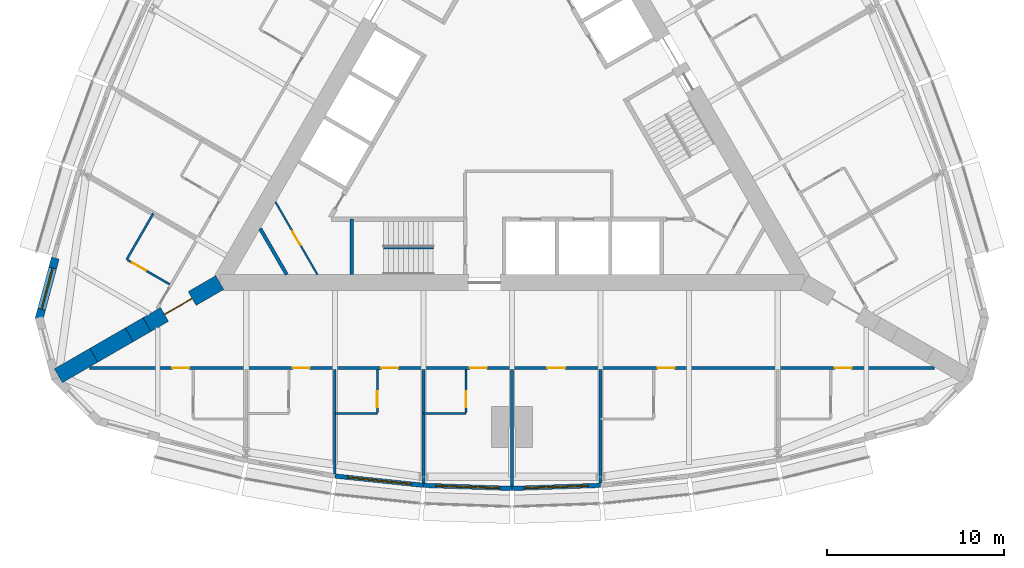
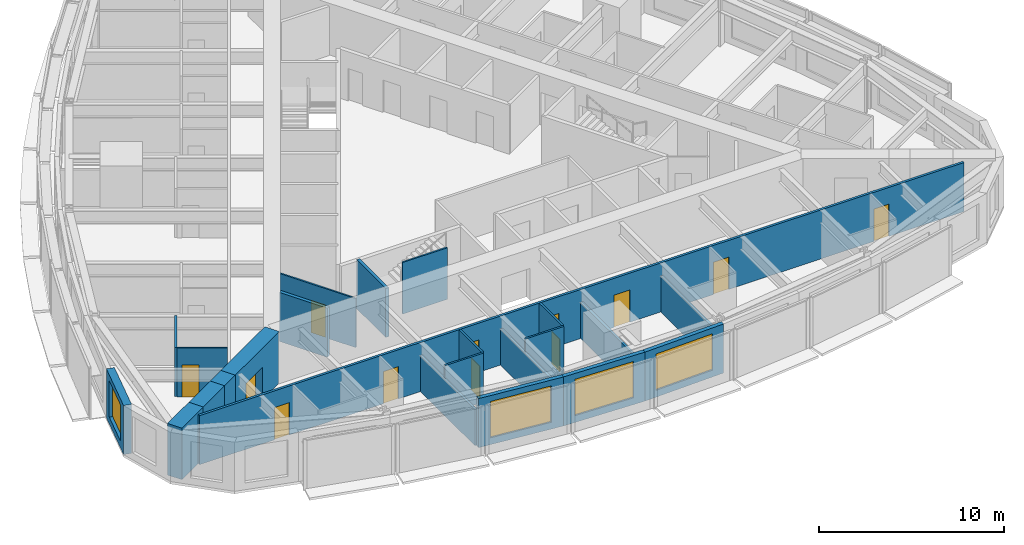
# One storey, part 8 of 14: 23 walls, 12 doors, 4 windows, 16 openings.
"""IFC4 building model written with IfcOpenShell, lengths in metres."""

from ifc_helpers import new_model, si_unit, direction, frame, frame_2d, origin, place, context, subcontext, project, spatial, rectangle, extrude, material, layer, layer_set, type_object, element, fill, save


model = new_model("IFC4")

# Units and contexts
model_context = context("Model", 3, precision=1e-05, world=origin(), true_north=direction((0.0, 1.0)))
body_context = subcontext(model_context, "Body", "Model", "MODEL_VIEW")
ifc_project = project(units=[si_unit("LENGTHUNIT", "METRE"), si_unit("AREAUNIT", "SQUARE_METRE"), si_unit("VOLUMEUNIT", "CUBIC_METRE"), si_unit("PLANEANGLEUNIT", "RADIAN"), si_unit("MASSUNIT", "GRAM", prefix="KILO")], contexts=[model_context])

# Site, building, storey
site_placement = place(None, origin())
site = spatial("IfcSite", under=ifc_project, at=site_placement, CompositionType="ELEMENT")
building_placement = place(site_placement, origin())
building = spatial("IfcBuilding", under=site, at=building_placement, Name="Trikona Tower", CompositionType="ELEMENT")
storey_placement = place(building_placement, frame((0.0, 0.0, 121.5)))
storey = spatial("IfcBuildingStorey", under=building, at=storey_placement, Name="L31", CompositionType="ELEMENT", Elevation=121.5)

# Wall
ifc_material_1 = material(Name="Metal stud and cement board", Category="gypsum")
ifc_layer_1 = layer(ifc_material_1, 0.1201171875)
ifc_layer_set_1 = layer_set([ifc_layer_1], Name="Bathroom wall 120")
wall_type_1 = type_object("IfcWallType", Name="Bathroom wall 120", PredefinedType="PLUMBINGWALL", material=ifc_layer_set_1)
wall_1_placement = place(storey_placement, frame((-10.0, -16.92626953125, 0.0), z_axis=(0.0, 0.0, 1.0), x_axis=(1.0, 0.0, 0.0)))
element("IfcWall", 1, at=wall_1_placement, inside=storey, type_object=wall_type_1, Name="Bathroom wall 3103", PredefinedType="PLUMBINGWALL", context=body_context, shape_type="SweptSolid", body=[
    extrude(rectangle(XDim=2.39990234375, YDim=0.1201171875, at=frame_2d((1.199951171875, 0.0))), origin(), (0.0, 0.0, 1.0), 3.235107421875),
])

# Wall, opening, door
wall_2_placement = place(storey_placement, frame((-7.60009765625, -14.42626953125, 0.0), z_axis=(0.0, 0.0, 1.0), x_axis=(0.0, -1.0, 0.0)))
wall_2 = element("IfcWall", 2, at=wall_2_placement, inside=storey, type_object=wall_type_1, Name="Bathroom wall 3103", PredefinedType="PLUMBINGWALL", context=body_context, shape_type="SweptSolid", body=[
    extrude(rectangle(XDim=2.43994140625, YDim=0.1201171875, at=frame_2d((1.219970703125, 0.0))), origin(), (0.0, 0.0, 1.0), 3.235107421875),
])
opening_1_placement = place(wall_2_placement, frame((1.25, 0.0, 0.0)))
opening_1 = element("IfcOpeningElement", 3, at=opening_1_placement, cuts=wall_2, Name="Opening D2", PredefinedType="OPENING", context=body_context, shape_type="SweptSolid", body=[
    extrude(rectangle(XDim=0.89990234375, YDim=2.1298828125, at=frame_2d((0.449951171875, 1.06494140625))), frame((0.0, 0.070068359375, 0.0), z_axis=(0.0, -1.0, 0.0), x_axis=(1.0, 0.0, 0.0)), (0.0, 0.0, 1.0), 0.14013671875),
])
ifc_material_2 = material(Name="Steel door frame with solid-core timber leaf", Category="steel")
door_type_1 = type_object("IfcDoorType", Name="Bathroom door 900x2130", OperationType="SLIDING_TO_LEFT", PredefinedType="DOOR", material=ifc_material_2)
door_1_placement = place(opening_1_placement, origin())
door_1 = element("IfcDoor", 4, at=door_1_placement, inside=storey, type_object=door_type_1, Name="Bathroom door 3103", OperationType="SLIDING_TO_LEFT", OverallHeight=2.1298828125, OverallWidth=0.89990234375, PredefinedType="DOOR", context=body_context, shape_type="SweptSolid", body=[
    extrude(rectangle(XDim=0.89990234375, YDim=2.1298828125, at=frame_2d((0.449951171875, 1.06494140625))), frame((0.0, 0.02490234375, 0.0), z_axis=(0.0, -1.0, 0.0), x_axis=(1.0, 0.0, 0.0)), (0.0, 0.0, 1.0), 0.050048828125),
])
fill(opening_1, door_1)

# Wall
wall_3_placement = place(storey_placement, frame((-5.0, -16.92626953125, 0.0), z_axis=(0.0, 0.0, 1.0), x_axis=(1.0, 0.0, 0.0)))
element("IfcWall", 5, at=wall_3_placement, inside=storey, type_object=wall_type_1, Name="Bathroom wall 3104", PredefinedType="PLUMBINGWALL", context=body_context, shape_type="SweptSolid", body=[
    extrude(rectangle(XDim=2.39990234375, YDim=0.1201171875, at=frame_2d((1.199951171875, 0.0))), origin(), (0.0, 0.0, 1.0), 3.235107421875),
])

# Wall, opening, door
wall_4_placement = place(storey_placement, frame((-2.60009765625, -14.42626953125, 0.0), z_axis=(0.0, 0.0, 1.0), x_axis=(0.0, -1.0, 0.0)))
wall_4 = element("IfcWall", 6, at=wall_4_placement, inside=storey, type_object=wall_type_1, Name="Bathroom wall 3104", PredefinedType="PLUMBINGWALL", context=body_context, shape_type="SweptSolid", body=[
    extrude(rectangle(XDim=2.43994140625, YDim=0.1201171875, at=frame_2d((1.219970703125, 0.0))), origin(), (0.0, 0.0, 1.0), 3.235107421875),
])
opening_2_placement = place(wall_4_placement, frame((1.25, 0.0, 0.0)))
opening_2 = element("IfcOpeningElement", 7, at=opening_2_placement, cuts=wall_4, Name="Opening D2", PredefinedType="OPENING", context=body_context, shape_type="SweptSolid", body=[
    extrude(rectangle(XDim=0.89990234375, YDim=2.1298828125, at=frame_2d((0.449951171875, 1.06494140625))), frame((0.0, 0.070068359375, 0.0), z_axis=(0.0, -1.0, 0.0), x_axis=(1.0, 0.0, 0.0)), (0.0, 0.0, 1.0), 0.14013671875),
])
door_2_placement = place(opening_2_placement, origin())
door_2 = element("IfcDoor", 8, at=door_2_placement, inside=storey, type_object=door_type_1, Name="Bathroom door 3104", OperationType="SLIDING_TO_LEFT", OverallHeight=2.1298828125, OverallWidth=0.89990234375, PredefinedType="DOOR", context=body_context, shape_type="SweptSolid", body=[
    extrude(rectangle(XDim=0.89990234375, YDim=2.1298828125, at=frame_2d((0.449951171875, 1.06494140625))), frame((0.0, 0.02490234375, 0.0), z_axis=(0.0, -1.0, 0.0), x_axis=(1.0, 0.0, 0.0)), (0.0, 0.0, 1.0), 0.050048828125),
])
fill(opening_2, door_2)

# Wall
wall_5_placement = place(storey_placement, frame((-20.25341796875, -5.627197265625, 0.0), z_axis=(0.0, 0.0, 1.0), x_axis=(-0.499990139034, -0.866031096941, 0.0)))
element("IfcWall", 9, at=wall_5_placement, inside=storey, type_object=wall_type_1, Name="Bathroom wall 3119", PredefinedType="PLUMBINGWALL", context=body_context, shape_type="SweptSolid", body=[
    extrude(rectangle(XDim=3.0, YDim=0.1201171875, at=frame_2d((1.5, 0.0))), origin(), (0.0, 0.0, 1.0), 3.235107421875),
])

# Wall, opening, door
wall_6_placement = place(storey_placement, frame((-19.32861328125, -9.625244140625, 0.0), z_axis=(0.0, 0.0, 1.0), x_axis=(-0.866035715982, 0.499982138324, 0.0)))
wall_6 = element("IfcWall", 10, at=wall_6_placement, inside=storey, type_object=wall_type_1, Name="Bathroom wall 3119", PredefinedType="PLUMBINGWALL", context=body_context, shape_type="SweptSolid", body=[
    extrude(rectangle(XDim=2.73974609375, YDim=0.1201171875, at=frame_2d((1.369873046875, 0.0))), origin(), (0.0, 0.0, 1.0), 3.235107421875),
])
opening_3_placement = place(wall_6_placement, frame((1.550048828125, 0.0, 0.0)))
opening_3 = element("IfcOpeningElement", 11, at=opening_3_placement, cuts=wall_6, Name="Opening D2", PredefinedType="OPENING", context=body_context, shape_type="SweptSolid", body=[
    extrude(rectangle(XDim=0.89990234375, YDim=2.1298828125, at=frame_2d((0.449951171875, 1.06494140625))), frame((0.0, 0.070068359375, 0.0), z_axis=(0.0, -1.0, 0.0), x_axis=(1.0, 0.0, 0.0)), (0.0, 0.0, 1.0), 0.14013671875),
])
door_3_placement = place(opening_3_placement, origin())
door_3 = element("IfcDoor", 12, at=door_3_placement, inside=storey, type_object=door_type_1, Name="Bathroom door 3119", OperationType="SLIDING_TO_LEFT", OverallHeight=2.1298828125, OverallWidth=0.89990234375, PredefinedType="DOOR", context=body_context, shape_type="SweptSolid", body=[
    extrude(rectangle(XDim=0.89990234375, YDim=2.1298828125, at=frame_2d((0.449951171875, 1.06494140625))), frame((0.0, 0.02490234375, 0.0), z_axis=(0.0, -1.0, 0.0), x_axis=(1.0, 0.0, 0.0)), (0.0, 0.0, 1.0), 0.050048828125),
])
fill(opening_3, door_3)

# Wall, opening, window
ifc_material_3 = material(Name="Brick-faced precast concrete", Category="masonry")
ifc_layer_2 = layer(ifc_material_3, 0.449951171875)
ifc_layer_set_2 = layer_set([ifc_layer_2], Name="Brick-faced corner wall 450")
wall_type_2 = type_object("IfcWallType", Name="Brick-faced corner wall 450", PredefinedType="SOLIDWALL", material=ifc_layer_set_2)
wall_7_placement = place(storey_placement, frame((-25.78271484375, -8.14111328125, 0.0), z_axis=(0.0, 0.0, 1.0), x_axis=(-0.258823421857, -0.965924653531, 0.0)))
wall_7 = element("IfcWall", 13, at=wall_7_placement, inside=storey, type_object=wall_type_2, Name="External wall L31-32", PredefinedType="SOLIDWALL", context=body_context, shape_type="SweptSolid", body=[
    extrude(rectangle(XDim=3.58642578125, YDim=0.449951171875, at=frame_2d((1.793212890625, 0.0))), origin(), (0.0, 0.0, 1.0), 3.235107421875),
])
opening_4_placement = place(wall_7_placement, frame((0.593017578125, 0.0, 0.449951171875)))
opening_4 = element("IfcOpeningElement", 14, at=opening_4_placement, cuts=wall_7, Name="Opening W2424", PredefinedType="OPENING", context=body_context, shape_type="SweptSolid", body=[
    extrude(rectangle(XDim=2.39990234375, YDim=2.39990234375, at=frame_2d((1.199951171875, 1.199951171875))), frame((0.0, 0.23486328125, 0.0), z_axis=(0.0, -1.0, 0.0), x_axis=(1.0, 0.0, 0.0)), (0.0, 0.0, 1.0), 0.469970703125),
])
ifc_material_4 = material(Name="Aluminium-framed double glazing", Category="aluminium")
window_type_1 = type_object("IfcWindowType", Name="Window 2400x2400", PartitioningType="SINGLE_PANEL", PredefinedType="WINDOW", material=ifc_material_4)
window_1_placement = place(opening_4_placement, origin())
window_1 = element("IfcWindow", 15, at=window_1_placement, inside=storey, type_object=window_type_1, Name="Window 3119", OverallHeight=2.39990234375, OverallWidth=2.39990234375, PartitioningType="SINGLE_PANEL", PredefinedType="WINDOW", context=body_context, shape_type="SweptSolid", body=[
    extrude(rectangle(XDim=2.39990234375, YDim=2.39990234375, at=frame_2d((1.199951171875, 1.199951171875))), frame((0.0, 0.030029296875, 0.0), z_axis=(0.0, -1.0, 0.0), x_axis=(1.0, 0.0, 0.0)), (0.0, 0.0, 1.0), 0.06005859375),
])
fill(opening_4, window_1)

# Wall, opening, door
ifc_material_5 = material(Name="Concrete f'c 10000 psi", Category="concrete")
ifc_layer_3 = layer(ifc_material_5, 0.89990234375)
ifc_layer_set_3 = layer_set([ifc_layer_3], Name="Buttress wall 900")
wall_type_3 = type_object("IfcWallType", Name="Buttress wall 900", PredefinedType="SHEAR", material=ifc_layer_set_3)
wall_8_placement = place(storey_placement, frame((-16.5, -9.5263671875, 0.0), z_axis=(0.0, 0.0, 1.0), x_axis=(-0.866031398331, -0.499989616998, 0.0)))
wall_8 = element("IfcWall", 16, at=wall_8_placement, inside=storey, type_object=wall_type_3, Name="Buttress wall 3", PredefinedType="SHEAR", context=body_context, shape_type="SweptSolid", body=[
    extrude(rectangle(XDim=4.74609375, YDim=0.89990234375, at=frame_2d((2.373046875, 0.0))), origin(), (0.0, 0.0, 1.0), 3.39990234375),
])
opening_5_placement = place(wall_8_placement, frame((1.800048828125, 0.0, 0.0)))
opening_5 = element("IfcOpeningElement", 17, at=opening_5_placement, cuts=wall_8, Name="Opening D10", PredefinedType="OPENING", context=body_context, shape_type="SweptSolid", body=[
    extrude(rectangle(XDim=1.800048828125, YDim=2.1298828125, at=frame_2d((0.89990234375, 1.06494140625))), frame((0.0, 0.4599609375, 0.0), z_axis=(0.0, -1.0, 0.0), x_axis=(1.0, 0.0, 0.0)), (0.0, 0.0, 1.0), 0.919921875),
])
ifc_material_6 = material(Name="Hollow metal door and frame", Category="steel")
door_type_2 = type_object("IfcDoorType", Name="Cross-corridor door pair 1800x2130", OperationType="DOUBLE_DOOR_DOUBLE_SWING", PredefinedType="DOOR", material=ifc_material_6)
door_4_placement = place(opening_5_placement, origin())
door_4 = element("IfcDoor", 18, at=door_4_placement, inside=storey, type_object=door_type_2, Name="Cross-corridor door 3", OperationType="DOUBLE_DOOR_DOUBLE_SWING", OverallHeight=2.1298828125, OverallWidth=1.800048828125, PredefinedType="DOOR", context=body_context, shape_type="SweptSolid", body=[
    extrude(rectangle(XDim=1.800048828125, YDim=2.1298828125, at=frame_2d((0.89990234375, 1.06494140625))), frame((0.0, 0.02490234375, 0.0), z_axis=(0.0, -1.0, 0.0), x_axis=(1.0, 0.0, 0.0)), (0.0, 0.0, 1.0), 0.050048828125),
])
fill(opening_5, door_4)

# Walls
wall_9_placement = place(storey_placement, frame((-20.6103515625, -11.8994140625, 0.0), z_axis=(0.0, 0.0, 1.0), x_axis=(-0.866009537788, -0.500027479704, 0.0)))
element("IfcWall", 19, at=wall_9_placement, inside=storey, type_object=wall_type_3, Name="Buttress wall 3 part 2", PredefinedType="SHEAR", context=body_context, shape_type="SweptSolid", body=[
    extrude(rectangle(XDim=1.15478515625, YDim=0.89990234375, at=frame_2d((0.577392578125, 0.0))), origin(), (0.0, 0.0, 1.0), 3.39990234375),
])
for number, where, z_axis, x_axis, name in (
    (20, (-21.6103515625, -12.476806640625, 0.0), (0.0, 0.0, 1.0), (-0.866055313784, -0.499948190782, 0.0), "Buttress wall 3 part 3"),
    (21, (-23.6103515625, -13.63134765625, 0.0), (0.0, 0.0, 1.0), (-0.866009537788, -0.500027479704, 0.0), "Buttress wall 3 part 4"),
):
    element("IfcWall", number, at=place(storey_placement, frame(where, z_axis=z_axis, x_axis=x_axis)), inside=storey, type_object=wall_type_3, Name=name, PredefinedType="SHEAR", context=body_context, shape_type="SweptSolid", body=[
        extrude(rectangle(XDim=2.309326171875, YDim=0.89990234375, at=frame_2d((1.15478515625, 0.0))), origin(), (0.0, 0.0, 1.0), 3.39990234375),
    ])

# Wall, openings, doors
ifc_material_7 = material(Name="Metal stud and gypsum board, 1-hour", Category="gypsum")
ifc_layer_4 = layer(ifc_material_7, 0.14990234375)
ifc_layer_set_4 = layer_set([ifc_layer_4], Name="Corridor wall 150")
wall_type_4 = type_object("IfcWallType", Name="Corridor wall 150", PredefinedType="PARTITIONING", material=ifc_layer_set_4)
wall_10_placement = place(storey_placement, frame((-23.857177734375, -14.351318359375, 0.0), z_axis=(0.0, 0.0, 1.0), x_axis=(1.0, 0.0, 0.0)))
wall_10 = element("IfcWall", 22, at=wall_10_placement, inside=storey, type_object=wall_type_4, Name="Corridor wall L31-1", PredefinedType="PARTITIONING", context=body_context, shape_type="SweptSolid", body=[
    extrude(rectangle(XDim=47.71435546875, YDim=0.14990234375, at=frame_2d((23.857177734375, 0.0))), origin(), (0.0, 0.0, 1.0), 3.235107421875),
])
opening_6_placement = place(wall_10_placement, frame((4.68212890625, 0.0, 0.0)))
opening_6 = element("IfcOpeningElement", 23, at=opening_6_placement, cuts=wall_10, Name="Opening D1", PredefinedType="OPENING", context=body_context, shape_type="SweptSolid", body=[
    extrude(rectangle(XDim=0.949951171875, YDim=2.1298828125, at=frame_2d((0.47509765625, 1.06494140625))), frame((0.0, 0.0849609375, 0.0), z_axis=(0.0, -1.0, 0.0), x_axis=(1.0, 0.0, 0.0)), (0.0, 0.0, 1.0), 0.169921875),
])
opening_7_placement = place(wall_10_placement, frame((11.482177734375, 0.0, 0.0)))
opening_7 = element("IfcOpeningElement", 24, at=opening_7_placement, cuts=wall_10, Name="Opening D1", PredefinedType="OPENING", context=body_context, shape_type="SweptSolid", body=[
    extrude(rectangle(XDim=0.949951171875, YDim=2.1298828125, at=frame_2d((0.47509765625, 1.06494140625))), frame((0.0, 0.0849609375, 0.0), z_axis=(0.0, -1.0, 0.0), x_axis=(1.0, 0.0, 0.0)), (0.0, 0.0, 1.0), 0.169921875),
])
opening_8_placement = place(wall_10_placement, frame((16.482177734375, 0.0, 0.0)))
opening_8 = element("IfcOpeningElement", 25, at=opening_8_placement, cuts=wall_10, Name="Opening D1", PredefinedType="OPENING", context=body_context, shape_type="SweptSolid", body=[
    extrude(rectangle(XDim=0.949951171875, YDim=2.1298828125, at=frame_2d((0.47509765625, 1.06494140625))), frame((0.0, 0.0849609375, 0.0), z_axis=(0.0, -1.0, 0.0), x_axis=(1.0, 0.0, 0.0)), (0.0, 0.0, 1.0), 0.169921875),
])
opening_9_placement = place(wall_10_placement, frame((21.482177734375, 0.0, 0.0)))
opening_9 = element("IfcOpeningElement", 26, at=opening_9_placement, cuts=wall_10, Name="Opening D1", PredefinedType="OPENING", context=body_context, shape_type="SweptSolid", body=[
    extrude(rectangle(XDim=0.949951171875, YDim=2.1298828125, at=frame_2d((0.47509765625, 1.06494140625))), frame((0.0, 0.0849609375, 0.0), z_axis=(0.0, -1.0, 0.0), x_axis=(1.0, 0.0, 0.0)), (0.0, 0.0, 1.0), 0.169921875),
])
opening_10_placement = place(wall_10_placement, frame((25.857177734375, 0.0, 0.0)))
opening_10 = element("IfcOpeningElement", 27, at=opening_10_placement, cuts=wall_10, Name="Opening D3", PredefinedType="OPENING", context=body_context, shape_type="SweptSolid", body=[
    extrude(rectangle(XDim=1.0, YDim=2.1298828125, at=frame_2d((0.5, 1.06494140625))), frame((0.0, 0.0849609375, 0.0), z_axis=(0.0, -1.0, 0.0), x_axis=(1.0, 0.0, 0.0)), (0.0, 0.0, 1.0), 0.169921875),
])
opening_11_placement = place(wall_10_placement, frame((32.08203125, 0.0, 0.0)))
opening_11 = element("IfcOpeningElement", 28, at=opening_11_placement, cuts=wall_10, Name="Opening D1", PredefinedType="OPENING", context=body_context, shape_type="SweptSolid", body=[
    extrude(rectangle(XDim=0.949951171875, YDim=2.1298828125, at=frame_2d((0.47509765625, 1.06494140625))), frame((0.0, 0.0849609375, 0.0), z_axis=(0.0, -1.0, 0.0), x_axis=(1.0, 0.0, 0.0)), (0.0, 0.0, 1.0), 0.169921875),
])
opening_12_placement = place(wall_10_placement, frame((42.08203125, 0.0, 0.0)))
opening_12 = element("IfcOpeningElement", 29, at=opening_12_placement, cuts=wall_10, Name="Opening D1", PredefinedType="OPENING", context=body_context, shape_type="SweptSolid", body=[
    extrude(rectangle(XDim=0.949951171875, YDim=2.1298828125, at=frame_2d((0.47509765625, 1.06494140625))), frame((0.0, 0.0849609375, 0.0), z_axis=(0.0, -1.0, 0.0), x_axis=(1.0, 0.0, 0.0)), (0.0, 0.0, 1.0), 0.169921875),
])
ifc_material_8 = material(Name="Steel door frame with solid-core timber leaf", Category="steel")
door_type_3 = type_object("IfcDoorType", Name="Guest room door 950x2130", OperationType="SINGLE_SWING_LEFT", PredefinedType="DOOR", material=ifc_material_8)
door_5_placement = place(opening_6_placement, origin())
door_5 = element("IfcDoor", 30, at=door_5_placement, inside=storey, type_object=door_type_3, Name="Room door 3101", OperationType="SINGLE_SWING_LEFT", OverallHeight=2.1298828125, OverallWidth=0.949951171875, PredefinedType="DOOR", context=body_context, shape_type="SweptSolid", body=[
    extrude(rectangle(XDim=0.949951171875, YDim=2.1298828125, at=frame_2d((0.47509765625, 1.06494140625))), frame((0.0, 0.02490234375, 0.0), z_axis=(0.0, -1.0, 0.0), x_axis=(1.0, 0.0, 0.0)), (0.0, 0.0, 1.0), 0.050048828125),
])
fill(opening_6, door_5)
door_6_placement = place(opening_7_placement, origin())
door_6 = element("IfcDoor", 31, at=door_6_placement, inside=storey, type_object=door_type_3, Name="Room door 3102", OperationType="SINGLE_SWING_RIGHT", OverallHeight=2.1298828125, OverallWidth=0.949951171875, PredefinedType="DOOR", context=body_context, shape_type="SweptSolid", body=[
    extrude(rectangle(XDim=0.949951171875, YDim=2.1298828125, at=frame_2d((0.47509765625, 1.06494140625))), frame((0.0, 0.02490234375, 0.0), z_axis=(0.0, -1.0, 0.0), x_axis=(1.0, 0.0, 0.0)), (0.0, 0.0, 1.0), 0.050048828125),
])
fill(opening_7, door_6)
door_7_placement = place(opening_8_placement, origin())
door_7 = element("IfcDoor", 32, at=door_7_placement, inside=storey, type_object=door_type_3, Name="Room door 3103", OperationType="SINGLE_SWING_LEFT", OverallHeight=2.1298828125, OverallWidth=0.949951171875, PredefinedType="DOOR", context=body_context, shape_type="SweptSolid", body=[
    extrude(rectangle(XDim=0.949951171875, YDim=2.1298828125, at=frame_2d((0.47509765625, 1.06494140625))), frame((0.0, 0.02490234375, 0.0), z_axis=(0.0, -1.0, 0.0), x_axis=(1.0, 0.0, 0.0)), (0.0, 0.0, 1.0), 0.050048828125),
])
fill(opening_8, door_7)
door_8_placement = place(opening_9_placement, origin())
door_8 = element("IfcDoor", 33, at=door_8_placement, inside=storey, type_object=door_type_3, Name="Room door 3104", OperationType="SINGLE_SWING_RIGHT", OverallHeight=2.1298828125, OverallWidth=0.949951171875, PredefinedType="DOOR", context=body_context, shape_type="SweptSolid", body=[
    extrude(rectangle(XDim=0.949951171875, YDim=2.1298828125, at=frame_2d((0.47509765625, 1.06494140625))), frame((0.0, 0.02490234375, 0.0), z_axis=(0.0, -1.0, 0.0), x_axis=(1.0, 0.0, 0.0)), (0.0, 0.0, 1.0), 0.050048828125),
])
fill(opening_9, door_8)
door_9_placement = place(opening_11_placement, origin())
door_9 = element("IfcDoor", 34, at=door_9_placement, inside=storey, type_object=door_type_3, Name="Room door 3105", OperationType="SINGLE_SWING_RIGHT", OverallHeight=2.1298828125, OverallWidth=0.949951171875, PredefinedType="DOOR", context=body_context, shape_type="SweptSolid", body=[
    extrude(rectangle(XDim=0.949951171875, YDim=2.1298828125, at=frame_2d((0.47509765625, 1.06494140625))), frame((0.0, 0.02490234375, 0.0), z_axis=(0.0, -1.0, 0.0), x_axis=(1.0, 0.0, 0.0)), (0.0, 0.0, 1.0), 0.050048828125),
])
fill(opening_11, door_9)
door_10_placement = place(opening_12_placement, origin())
door_10 = element("IfcDoor", 35, at=door_10_placement, inside=storey, type_object=door_type_3, Name="Room door 3106", OperationType="SINGLE_SWING_LEFT", OverallHeight=2.1298828125, OverallWidth=0.949951171875, PredefinedType="DOOR", context=body_context, shape_type="SweptSolid", body=[
    extrude(rectangle(XDim=0.949951171875, YDim=2.1298828125, at=frame_2d((0.47509765625, 1.06494140625))), frame((0.0, 0.02490234375, 0.0), z_axis=(0.0, -1.0, 0.0), x_axis=(1.0, 0.0, 0.0)), (0.0, 0.0, 1.0), 0.050048828125),
])
fill(opening_12, door_10)
ifc_material_9 = material(Name="Steel door frame with solid-core timber leaf", Category="steel")
door_type_4 = type_object("IfcDoorType", Name="Room door 1000x2130", OperationType="SINGLE_SWING_LEFT", PredefinedType="DOOR", material=ifc_material_9)
door_11_placement = place(opening_10_placement, origin())
door_11 = element("IfcDoor", 36, at=door_11_placement, inside=storey, type_object=door_type_4, Name="Door Housekeeping pantry", OperationType="SINGLE_SWING_LEFT", OverallHeight=2.1298828125, OverallWidth=1.0, PredefinedType="DOOR", context=body_context, shape_type="SweptSolid", body=[
    extrude(rectangle(XDim=1.0, YDim=2.1298828125, at=frame_2d((0.5, 1.06494140625))), frame((0.0, 0.02490234375, 0.0), z_axis=(0.0, -1.0, 0.0), x_axis=(1.0, 0.0, 0.0)), (0.0, 0.0, 1.0), 0.050048828125),
])
fill(opening_10, door_11)

# Wall, opening, window
ifc_material_10 = material(Name="Insulated precast concrete spandrel panel", Category="concrete")
ifc_layer_5 = layer(ifc_material_10, 0.25)
ifc_layer_set_5 = layer_set([ifc_layer_5], Name="Inner skin wall 250")
wall_type_5 = type_object("IfcWallType", Name="Inner skin wall 250", PredefinedType="STANDARD", material=ifc_layer_set_5)
wall_11_placement = place(storey_placement, frame((-9.98681640625, -20.450927734375, 0.0), z_axis=(0.0, 0.0, 1.0), x_axis=(0.994534683851, -0.104406717299, 0.0)))
wall_11 = element("IfcWall", 37, at=wall_11_placement, inside=storey, type_object=wall_type_5, Name="External wall L31-02", PredefinedType="STANDARD", context=body_context, shape_type="SweptSolid", body=[
    extrude(rectangle(XDim=5.027587890625, YDim=0.25, at=frame_2d((2.513671875, 0.0))), origin(), (0.0, 0.0, 1.0), 3.235107421875),
])
opening_13_placement = place(wall_11_placement, frame((0.713623046875, 0.0, 0.449951171875)))
opening_13 = element("IfcOpeningElement", 38, at=opening_13_placement, cuts=wall_11, Name="Opening W3624", PredefinedType="OPENING", context=body_context, shape_type="SweptSolid", body=[
    extrude(rectangle(XDim=3.60009765625, YDim=2.39990234375, at=frame_2d((1.800048828125, 1.199951171875))), frame((0.0, 0.135009765625, 0.0), z_axis=(0.0, -1.0, 0.0), x_axis=(1.0, 0.0, 0.0)), (0.0, 0.0, 1.0), 0.27001953125),
])
ifc_material_11 = material(Name="Aluminium-framed double glazing", Category="aluminium")
window_type_2 = type_object("IfcWindowType", Name="Window 3600x2400", PartitioningType="SINGLE_PANEL", PredefinedType="WINDOW", material=ifc_material_11)
window_2_placement = place(opening_13_placement, origin())
window_2 = element("IfcWindow", 39, at=window_2_placement, inside=storey, type_object=window_type_2, Name="Window 3103", OverallHeight=2.39990234375, OverallWidth=3.60009765625, PartitioningType="SINGLE_PANEL", PredefinedType="WINDOW", context=body_context, shape_type="SweptSolid", body=[
    extrude(rectangle(XDim=3.60009765625, YDim=2.39990234375, at=frame_2d((1.800048828125, 1.199951171875))), frame((0.0, 0.030029296875, 0.0), z_axis=(0.0, -1.0, 0.0), x_axis=(1.0, 0.0, 0.0)), (0.0, 0.0, 1.0), 0.06005859375),
])
fill(opening_13, window_2)

wall_12_placement = place(storey_placement, frame((-4.99560546875, -20.975341796875, 0.0), z_axis=(0.0, 0.0, 1.0), x_axis=(0.999387720943, -0.034988329879, 0.0)))
wall_12 = element("IfcWall", 40, at=wall_12_placement, inside=storey, type_object=wall_type_5, Name="External wall L31-03", PredefinedType="STANDARD", context=body_context, shape_type="SweptSolid", body=[
    extrude(rectangle(XDim=5.003173828125, YDim=0.25, at=frame_2d((2.50146484375, 0.0))), origin(), (0.0, 0.0, 1.0), 3.235107421875),
])
opening_14_placement = place(wall_12_placement, frame((0.701416015625, 0.0, 0.449951171875)))
opening_14 = element("IfcOpeningElement", 41, at=opening_14_placement, cuts=wall_12, Name="Opening W3624", PredefinedType="OPENING", context=body_context, shape_type="SweptSolid", body=[
    extrude(rectangle(XDim=3.60009765625, YDim=2.39990234375, at=frame_2d((1.800048828125, 1.199951171875))), frame((0.0, 0.135009765625, 0.0), z_axis=(0.0, -1.0, 0.0), x_axis=(1.0, 0.0, 0.0)), (0.0, 0.0, 1.0), 0.27001953125),
])
window_3_placement = place(opening_14_placement, origin())
window_3 = element("IfcWindow", 42, at=window_3_placement, inside=storey, type_object=window_type_2, Name="Window 3104", OverallHeight=2.39990234375, OverallWidth=3.60009765625, PartitioningType="SINGLE_PANEL", PredefinedType="WINDOW", context=body_context, shape_type="SweptSolid", body=[
    extrude(rectangle(XDim=3.60009765625, YDim=2.39990234375, at=frame_2d((1.800048828125, 1.199951171875))), frame((0.0, 0.030029296875, 0.0), z_axis=(0.0, -1.0, 0.0), x_axis=(1.0, 0.0, 0.0)), (0.0, 0.0, 1.0), 0.06005859375),
])
fill(opening_14, window_3)

wall_13_placement = place(storey_placement, frame((-0.00439453125, -21.150390625, 0.0), z_axis=(0.0, 0.0, 1.0), x_axis=(0.999387720943, 0.034988329879, 0.0)))
wall_13 = element("IfcWall", 43, at=wall_13_placement, inside=storey, type_object=wall_type_5, Name="External wall L31-04", PredefinedType="STANDARD", context=body_context, shape_type="SweptSolid", body=[
    extrude(rectangle(XDim=5.003173828125, YDim=0.25, at=frame_2d((2.50146484375, 0.0))), origin(), (0.0, 0.0, 1.0), 3.235107421875),
])
opening_15_placement = place(wall_13_placement, frame((0.701416015625, 0.0, 0.449951171875)))
opening_15 = element("IfcOpeningElement", 44, at=opening_15_placement, cuts=wall_13, Name="Opening W3624", PredefinedType="OPENING", context=body_context, shape_type="SweptSolid", body=[
    extrude(rectangle(XDim=3.60009765625, YDim=2.39990234375, at=frame_2d((1.800048828125, 1.199951171875))), frame((0.0, 0.135009765625, 0.0), z_axis=(0.0, -1.0, 0.0), x_axis=(1.0, 0.0, 0.0)), (0.0, 0.0, 1.0), 0.27001953125),
])
window_4_placement = place(opening_15_placement, origin())
window_4 = element("IfcWindow", 45, at=window_4_placement, inside=storey, type_object=window_type_2, Name="Window L31-HKP", OverallHeight=2.39990234375, OverallWidth=3.60009765625, PartitioningType="SINGLE_PANEL", PredefinedType="WINDOW", context=body_context, shape_type="SweptSolid", body=[
    extrude(rectangle(XDim=3.60009765625, YDim=2.39990234375, at=frame_2d((1.800048828125, 1.199951171875))), frame((0.0, 0.030029296875, 0.0), z_axis=(0.0, -1.0, 0.0), x_axis=(1.0, 0.0, 0.0)), (0.0, 0.0, 1.0), 0.06005859375),
])
fill(opening_15, window_4)

# Walls
ifc_material_12 = material(Name="Metal stud and gypsum board, 1-hour acoustic", Category="gypsum")
ifc_layer_6 = layer(ifc_material_12, 0.14990234375)
ifc_layer_set_6 = layer_set([ifc_layer_6], Name="Party wall 150")
wall_type_6 = type_object("IfcWallType", Name="Party wall 150", PredefinedType="PARTITIONING", material=ifc_layer_set_6)
wall_14_placement = place(storey_placement, frame((-10.0, -14.42626953125, 0.0), z_axis=(0.0, 0.0, 1.0), x_axis=(0.0, -1.0, 0.0)))
element("IfcWall", 46, at=wall_14_placement, inside=storey, type_object=wall_type_6, Name="Partition L31 F1 u-10", PredefinedType="PARTITIONING", context=body_context, shape_type="SweptSolid", body=[
    extrude(rectangle(XDim=5.89501953125, YDim=0.14990234375, at=frame_2d((2.947509765625, 0.0))), origin(), (0.0, 0.0, 1.0), 2.38916015625),
])
wall_15_placement = place(storey_placement, frame((-5.0, -14.42626953125, 0.0), z_axis=(0.0, 0.0, 1.0), x_axis=(0.0, -1.0, 0.0)))
element("IfcWall", 47, at=wall_15_placement, inside=storey, type_object=wall_type_6, Name="Partition L31 F1 u-5", PredefinedType="PARTITIONING", context=body_context, shape_type="SweptSolid", body=[
    extrude(rectangle(XDim=6.422607421875, YDim=0.14990234375, at=frame_2d((3.21142578125, 0.0))), origin(), (0.0, 0.0, 1.0), 2.38916015625),
])
wall_16_placement = place(storey_placement, frame((0.0, -14.42626953125, 0.0), z_axis=(0.0, 0.0, 1.0), x_axis=(0.0, -1.0, 0.0)))
element("IfcWall", 48, at=wall_16_placement, inside=storey, type_object=wall_type_6, Name="Partition L31 F1 u-9.86076e-31", PredefinedType="PARTITIONING", context=body_context, shape_type="SweptSolid", body=[
    extrude(rectangle(XDim=6.5986328125, YDim=0.14990234375, at=frame_2d((3.29931640625, 0.0))), origin(), (0.0, 0.0, 1.0), 2.38916015625),
])
wall_17_placement = place(storey_placement, frame((5.0, -14.42626953125, 0.0), z_axis=(0.0, 0.0, 1.0), x_axis=(0.0, -1.0, 0.0)))
element("IfcWall", 49, at=wall_17_placement, inside=storey, type_object=wall_type_6, Name="Partition L31 F1 u5", PredefinedType="PARTITIONING", context=body_context, shape_type="SweptSolid", body=[
    extrude(rectangle(XDim=6.422607421875, YDim=0.14990234375, at=frame_2d((3.21142578125, 0.0))), origin(), (0.0, 0.0, 1.0), 2.38916015625),
])
ifc_material_13 = material(Name="Concrete f'c 8000 psi", Category="concrete")
ifc_layer_7 = layer(ifc_material_13, 0.199951171875)
ifc_layer_set_7 = layer_set([ifc_layer_7], Name="Shaft wall 200")
wall_type_7 = type_object("IfcWallType", Name="Shaft wall 200", PredefinedType="SOLIDWALL", material=ifc_layer_set_7)
wall_18_placement = place(storey_placement, frame((-12.718505859375, -9.076416015625, 0.0), z_axis=(0.0, 0.0, 1.0), x_axis=(-0.499952404951, 0.866052881055, 0.0)))
element("IfcWall", 50, at=wall_18_placement, inside=storey, type_object=wall_type_7, Name="Riser wall L31-RS3", PredefinedType="SOLIDWALL", context=body_context, shape_type="SweptSolid", body=[
    extrude(rectangle(XDim=3.002197265625, YDim=0.199951171875, at=frame_2d((1.5009765625, 0.0))), origin(), (0.0, 0.0, 1.0), 3.235107421875),
])
ifc_material_14 = material(Name="Concrete f'c 8000 psi", Category="concrete")
ifc_layer_8 = layer(ifc_material_14, 0.199951171875)
ifc_layer_set_8 = layer_set([ifc_layer_8], Name="Shaft wall 200 load-bearing")
wall_type_8 = type_object("IfcWallType", Name="Shaft wall 200 load-bearing", PredefinedType="SOLIDWALL", material=ifc_layer_set_8)
wall_19_placement = place(storey_placement, frame((-9.050048828125, -5.951416015625, 0.0), z_axis=(0.0, 0.0, 1.0), x_axis=(0.0, -1.0, 0.0)))
element("IfcWall", 51, at=wall_19_placement, inside=storey, type_object=wall_type_8, Name="Shaft wall A1", PredefinedType="SOLIDWALL", context=body_context, shape_type="SweptSolid", body=[
    extrude(rectangle(XDim=3.125, YDim=0.199951171875, at=frame_2d((1.5625, 0.0))), origin(), (0.0, 0.0, 1.0), 3.235107421875),
])
ifc_material_15 = material(Name="Concrete f'c 5000 psi", Category="concrete")
ifc_layer_9 = layer(ifc_material_15, 0.10009765625)
ifc_layer_set_9 = layer_set([ifc_layer_9], Name="Stair spine wall 100")
wall_type_9 = type_object("IfcWallType", Name="Stair spine wall 100", PredefinedType="SOLIDWALL", material=ifc_layer_set_9)
wall_20_placement = place(storey_placement, frame((-7.2470703125, -7.576416015625, 0.0), z_axis=(0.0, 0.0, 1.0), x_axis=(1.0, 0.0, 0.0)))
element("IfcWall", 52, at=wall_20_placement, inside=storey, type_object=wall_type_9, Name="Stair A spine wall L31", PredefinedType="SOLIDWALL", context=body_context, shape_type="SweptSolid", body=[
    extrude(rectangle(XDim=2.794189453125, YDim=0.10009765625, at=frame_2d((1.39697265625, 0.0))), origin(), (0.0, 0.0, 1.0), 3.39990234375),
])

# Wall, opening, door
ifc_material_16 = material(Name="Metal stud and gypsum board, acoustic", Category="gypsum")
ifc_layer_10 = layer(ifc_material_16, 0.10009765625)
ifc_layer_set_10 = layer_set([ifc_layer_10], Name="Suite partition 100")
wall_type_10 = type_object("IfcWallType", Name="Suite partition 100", PredefinedType="PARTITIONING", material=ifc_layer_set_10)
wall_21_placement = place(storey_placement, frame((-10.986328125, -9.076416015625, 0.0), z_axis=(0.0, 0.0, 1.0), x_axis=(-0.499999210213, 0.866025859768, 0.0)))
wall_21 = element("IfcWall", 53, at=wall_21_placement, inside=storey, type_object=wall_type_10, Name="Store partition L31-RS3", PredefinedType="PARTITIONING", context=body_context, shape_type="SweptSolid", body=[
    extrude(rectangle(XDim=4.734375, YDim=0.10009765625, at=frame_2d((2.3671875, 0.0))), origin(), (0.0, 0.0, 1.0), 3.235107421875),
])
opening_16_placement = place(wall_21_placement, frame((1.917236328125, 0.0, 0.0)))
opening_16 = element("IfcOpeningElement", 54, at=opening_16_placement, cuts=wall_21, Name="Opening D15", PredefinedType="OPENING", context=body_context, shape_type="SweptSolid", body=[
    extrude(rectangle(XDim=0.89990234375, YDim=2.1298828125, at=frame_2d((0.449951171875, 1.06494140625))), frame((0.0, 0.06005859375, 0.0), z_axis=(0.0, -1.0, 0.0), x_axis=(1.0, 0.0, 0.0)), (0.0, 0.0, 1.0), 0.1201171875),
])
ifc_material_17 = material(Name="Steel door frame with solid-core timber leaf", Category="steel")
door_type_5 = type_object("IfcDoorType", Name="Store door 900x2130", OperationType="SINGLE_SWING_LEFT", PredefinedType="DOOR", material=ifc_material_17)
door_12_placement = place(opening_16_placement, origin())
door_12 = element("IfcDoor", 55, at=door_12_placement, inside=storey, type_object=door_type_5, Name="Door Storage STO", OperationType="SINGLE_SWING_RIGHT", OverallHeight=2.1298828125, OverallWidth=0.89990234375, PredefinedType="DOOR", context=body_context, shape_type="SweptSolid", body=[
    extrude(rectangle(XDim=0.89990234375, YDim=2.1298828125, at=frame_2d((0.449951171875, 1.06494140625))), frame((0.0, 0.02490234375, 0.0), z_axis=(0.0, -1.0, 0.0), x_axis=(1.0, 0.0, 0.0)), (0.0, 0.0, 1.0), 0.050048828125),
])
fill(opening_16, door_12)

save(model, "model.ifc")
